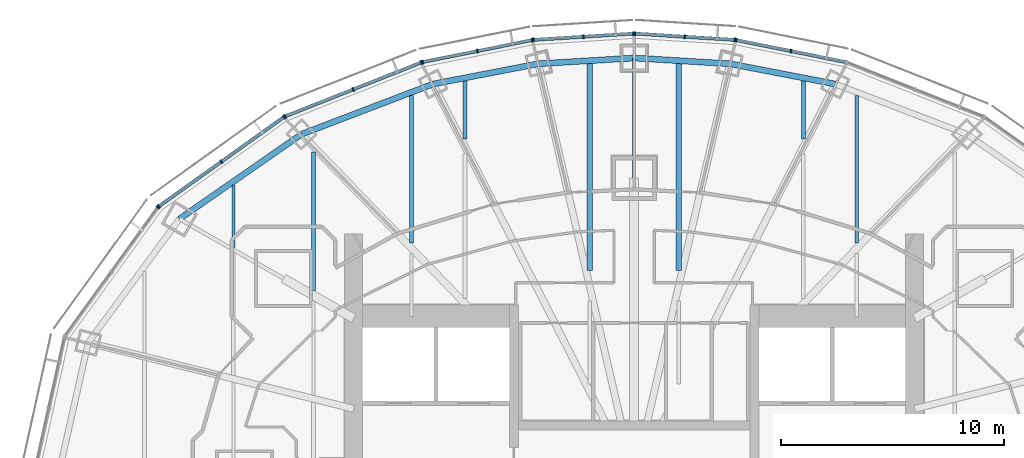
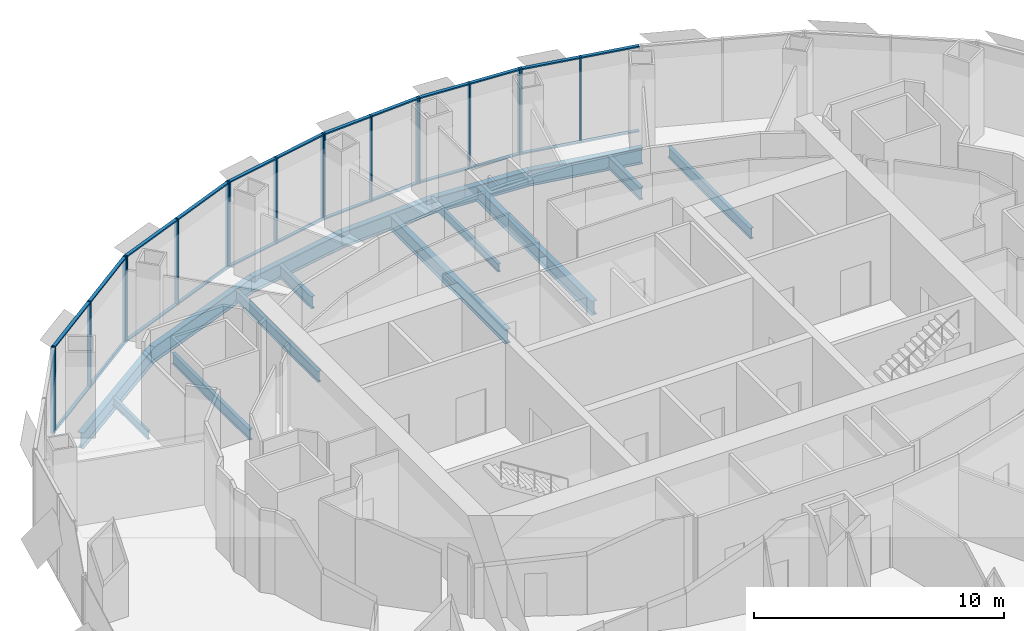
# One storey, part 8 of 19: 42 members, 15 beams, 7 elements without a shape of their own.
"""IFC4 building model written with IfcOpenShell, lengths in metres."""

from ifc_helpers import new_model, si_unit, direction, frame, origin, origin_2d, place, context, subcontext, project, spatial, rectangle, i_section, extrude, material, material_profile, profile_set, type_object, element, aggregate, save


model = new_model("IFC4")

# Units and contexts
model_context = context("Model", 3, precision=1e-05, world=origin(), true_north=direction((0.0, 1.0)))
body_context = subcontext(model_context, "Body", "Model", "MODEL_VIEW")
ifc_project = project(units=[si_unit("LENGTHUNIT", "METRE"), si_unit("AREAUNIT", "SQUARE_METRE"), si_unit("VOLUMEUNIT", "CUBIC_METRE"), si_unit("PLANEANGLEUNIT", "RADIAN"), si_unit("MASSUNIT", "GRAM", prefix="KILO")], contexts=[model_context])

# Site, building, storey
site_placement = place(None, origin())
site = spatial("IfcSite", under=ifc_project, at=site_placement, CompositionType="ELEMENT")
building_placement = place(site_placement, origin())
building = spatial("IfcBuilding", under=site, at=building_placement, Name="Lantaw Convention Tower", CompositionType="ELEMENT")
storey_placement = place(building_placement, frame((0.0, 0.0, 245.199951171875)))
storey = spatial("IfcBuildingStorey", under=building, at=storey_placement, Name="L57", CompositionType="ELEMENT", Elevation=245.199951171875)

# Beams
ifc_material_1 = material(Name="Steel ASTM A992", Category="steel")
ifc_material_profile_1 = material_profile(ifc_material_1, i_section(OverallWidth=0.2666015625, OverallDepth=0.76953125, WebThickness=0.015625, FlangeThickness=0.025390625, FilletRadius=0.0126953125, at=origin_2d()), Name="W30X132")
ifc_profile_set_1 = profile_set([ifc_material_profile_1], Name="Steel ASTM A992")
beam_type_1 = type_object("IfcBeamType", Name="Beam E W30X132", PredefinedType="SPANDREL", material=ifc_profile_set_1)
beam_1_placement = place(storey_placement, frame((9.03466796875, 17.7314453125, -0.53466796875), z_axis=(-0.981972091702, 0.189025953556, 0.0), x_axis=(-0.189025953556, -0.981972091702, 0.0)))
element("IfcBeam", 1, at=beam_1_placement, inside=storey, type_object=beam_type_1, Name="Edge beam 5", PredefinedType="SPANDREL", context=body_context, shape_type="SweptSolid", body=[
    extrude(i_section(OverallWidth=0.2666015625, OverallDepth=0.76953125, WebThickness=0.015625, FlangeThickness=0.025390625, FilletRadius=0.0126953125, at=origin_2d()), origin(), (0.0, 0.0, 1.0), 4.817626953125),
])
for number, where, z_axis, x_axis, name in (
    (2, (4.303955078125, 18.64208984375, -0.53466796875), (-0.998210730897, 0.059794119452, 0.0), (-0.059794119452, -0.998210730897, 0.0), "Edge beam 6"),
    (3, (0.0, 18.89990234375, -0.53466796875), (-0.998210730897, -0.059794119452, 0.0), (0.059794119452, -0.998210730897, 0.0), "Edge beam 7"),
):
    element("IfcBeam", number, at=place(storey_placement, frame(where, z_axis=z_axis, x_axis=x_axis)), inside=storey, type_object=beam_type_1, Name=name, PredefinedType="SPANDREL", context=body_context, shape_type="SweptSolid", body=[
        extrude(i_section(OverallWidth=0.2666015625, OverallDepth=0.76953125, WebThickness=0.015625, FlangeThickness=0.025390625, FilletRadius=0.0126953125, at=origin_2d()), origin(), (0.0, 0.0, 1.0), 4.311767578125),
    ])
beam_2_placement = place(storey_placement, frame((-4.303955078125, 18.64208984375, -0.53466796875), z_axis=(-0.981972091702, -0.189025953556, 0.0), x_axis=(0.189025953556, -0.981972091702, 0.0)))
element("IfcBeam", 4, at=beam_2_placement, inside=storey, type_object=beam_type_1, Name="Edge beam 8", PredefinedType="SPANDREL", context=body_context, shape_type="SweptSolid", body=[
    extrude(i_section(OverallWidth=0.2666015625, OverallDepth=0.76953125, WebThickness=0.015625, FlangeThickness=0.025390625, FilletRadius=0.0126953125, at=origin_2d()), origin(), (0.0, 0.0, 1.0), 4.817626953125),
])
beam_3_placement = place(storey_placement, frame((-9.03466796875, 17.7314453125, -0.53466796875), z_axis=(-0.934234988, -0.356658081637, 0.0), x_axis=(0.356658081637, -0.934234988, 0.0)))
element("IfcBeam", 5, at=beam_3_placement, inside=storey, type_object=beam_type_1, Name="Edge beam 9", PredefinedType="SPANDREL", context=body_context, shape_type="SweptSolid", body=[
    extrude(i_section(OverallWidth=0.2666015625, OverallDepth=0.76953125, WebThickness=0.015625, FlangeThickness=0.025390625, FilletRadius=0.0126953125, at=origin_2d()), origin(), (0.0, 0.0, 1.0), 6.32568359375),
])
beam_4_placement = place(storey_placement, frame((-14.9443359375, 15.475341796875, -0.53466796875), z_axis=(-0.82135329406, -0.570419815869, 0.0), x_axis=(0.570419815869, -0.82135329406, 0.0)))
element("IfcBeam", 6, at=beam_4_placement, inside=storey, type_object=beam_type_1, Name="Edge beam 10", PredefinedType="SPANDREL", context=body_context, shape_type="SweptSolid", body=[
    extrude(i_section(OverallWidth=0.2666015625, OverallDepth=0.76953125, WebThickness=0.015625, FlangeThickness=0.025390625, FilletRadius=0.0126953125, at=origin_2d()), origin(), (0.0, 0.0, 1.0), 6.67041015625),
])
ifc_material_profile_2 = material_profile(ifc_material_1, i_section(OverallWidth=0.140380859375, OverallDepth=0.40380859375, WebThickness=0.007080078125, FlangeThickness=0.01123046875, FilletRadius=0.01025390625, at=origin_2d()), Name="W16X31")
ifc_profile_set_2 = profile_set([ifc_material_profile_2], Name="Steel ASTM A992")
beam_type_2 = type_object("IfcBeamType", Name="Beam G W16X31", PredefinedType="BEAM", material=ifc_profile_set_2)
beam_5_placement = place(storey_placement, frame((0.0, 13.5, -0.351806640625), z_axis=(0.0, 1.0, 0.0), x_axis=(-1.0, 0.0, 0.0)))
element("IfcBeam", 7, at=beam_5_placement, inside=storey, type_object=beam_type_2, Name="Floor girder on ray 7", PredefinedType="BEAM", context=body_context, shape_type="SweptSolid", body=[
    extrude(i_section(OverallWidth=0.140380859375, OverallDepth=0.40380859375, WebThickness=0.007080078125, FlangeThickness=0.01123046875, FilletRadius=0.01025390625, at=origin_2d()), origin(), (0.0, 0.0, 1.0), 5.39990234375),
])
ifc_material_profile_3 = material_profile(ifc_material_1, i_section(OverallWidth=0.140380859375, OverallDepth=0.40380859375, WebThickness=0.007080078125, FlangeThickness=0.01123046875, FilletRadius=0.01025390625, at=origin_2d()), Name="W16X31")
ifc_profile_set_3 = profile_set([ifc_material_profile_3], Name="Steel ASTM A992")
beam_type_3 = type_object("IfcBeamType", Name="Beam J W16X31", PredefinedType="JOIST", material=ifc_profile_set_3)
beam_6_placement = place(storey_placement, frame((-18.0, 10.380859375, -0.351806640625), z_axis=(0.0, 1.0, 0.0), x_axis=(-1.0, 0.0, 0.0)))
element("IfcBeam", 8, at=beam_6_placement, inside=storey, type_object=beam_type_3, Name="Floor joist", PredefinedType="JOIST", context=body_context, shape_type="SweptSolid", body=[
    extrude(i_section(OverallWidth=0.140380859375, OverallDepth=0.40380859375, WebThickness=0.007080078125, FlangeThickness=0.01123046875, FilletRadius=0.01025390625, at=origin_2d()), origin(), (0.0, 0.0, 1.0), 2.81005859375),
])
ifc_material_profile_4 = material_profile(ifc_material_1, i_section(OverallWidth=0.1650390625, OverallDepth=0.52587890625, WebThickness=0.0087890625, FlangeThickness=0.011474609375, FilletRadius=0.0126953125, at=origin_2d()), Name="W21X44")
ifc_profile_set_4 = profile_set([ifc_material_profile_4], Name="Steel ASTM A992")
beam_type_4 = type_object("IfcBeamType", Name="Beam J W21X44", PredefinedType="JOIST", material=ifc_profile_set_4)
beam_7_placement = place(storey_placement, frame((-14.39990234375, 8.461181640625, -0.412841796875), z_axis=(0.0, 1.0, 0.0), x_axis=(-1.0, 0.0, 0.0)))
element("IfcBeam", 9, at=beam_7_placement, inside=storey, type_object=beam_type_4, Name="Floor joist", PredefinedType="JOIST", context=body_context, shape_type="SweptSolid", body=[
    extrude(i_section(OverallWidth=0.1650390625, OverallDepth=0.52587890625, WebThickness=0.0087890625, FlangeThickness=0.011474609375, FilletRadius=0.0126953125, at=origin_2d()), origin(), (0.0, 0.0, 1.0), 6.214599609375),
])
for number, where, z_axis, x_axis, name in (
    (10, (-10.0, 10.591064453125, -0.412841796875), (0.0, 1.0, 0.0), (-1.0, 0.0, 0.0), "Floor joist"),
    (11, (10.0, 10.591064453125, -0.412841796875), (0.0, 1.0, 0.0), (-1.0, 0.0, 0.0), "Floor joist"),
):
    element("IfcBeam", number, at=place(storey_placement, frame(where, z_axis=z_axis, x_axis=x_axis)), inside=storey, type_object=beam_type_4, Name=name, PredefinedType="JOIST", context=body_context, shape_type="SweptSolid", body=[
        extrude(i_section(OverallWidth=0.1650390625, OverallDepth=0.52587890625, WebThickness=0.0087890625, FlangeThickness=0.011474609375, FilletRadius=0.0126953125, at=origin_2d()), origin(), (0.0, 0.0, 1.0), 6.629150390625),
    ])
ifc_material_profile_5 = material_profile(ifc_material_1, i_section(OverallWidth=0.177978515625, OverallDepth=0.599365234375, WebThickness=0.010009765625, FlangeThickness=0.012939453125, FilletRadius=0.012939453125, at=origin_2d()), Name="W24X55")
ifc_profile_set_5 = profile_set([ifc_material_profile_5], Name="Steel ASTM A992")
beam_type_5 = type_object("IfcBeamType", Name="Beam J W24X55", PredefinedType="JOIST", material=ifc_profile_set_5)
for number, where, z_axis, x_axis, name in (
    (12, (-7.60009765625, 15.25439453125, -0.44970703125), (0.0, 1.0, 0.0), (-1.0, 0.0, 0.0), "Floor joist"),
    (13, (7.60009765625, 15.25439453125, -0.44970703125), (0.0, 1.0, 0.0), (-1.0, 0.0, 0.0), "Floor joist"),
):
    element("IfcBeam", number, at=place(storey_placement, frame(where, z_axis=z_axis, x_axis=x_axis)), inside=storey, type_object=beam_type_5, Name=name, PredefinedType="JOIST", context=body_context, shape_type="SweptSolid", body=[
        extrude(i_section(OverallWidth=0.177978515625, OverallDepth=0.599365234375, WebThickness=0.010009765625, FlangeThickness=0.012939453125, FilletRadius=0.012939453125, at=origin_2d()), origin(), (0.0, 0.0, 1.0), 2.617431640625),
    ])
ifc_material_profile_6 = material_profile(ifc_material_1, i_section(OverallWidth=0.25390625, OverallDepth=0.683349609375, WebThickness=0.012451171875, FlangeThickness=0.01904296875, FilletRadius=0.01513671875, at=origin_2d()), Name="W27X94")
ifc_profile_set_6 = profile_set([ifc_material_profile_6], Name="Steel ASTM A992")
beam_type_6 = type_object("IfcBeamType", Name="Beam J W27X94", PredefinedType="JOIST", material=ifc_profile_set_6)
for number, where, z_axis, x_axis, name in (
    (14, (-2.0, 9.34619140625, -0.49169921875), (0.0, 1.0, 0.0), (-1.0, 0.0, 0.0), "Floor joist"),
    (15, (2.0, 9.34619140625, -0.49169921875), (0.0, 1.0, 0.0), (-1.0, 0.0, 0.0), "Floor joist"),
):
    element("IfcBeam", number, at=place(storey_placement, frame(where, z_axis=z_axis, x_axis=x_axis)), inside=storey, type_object=beam_type_6, Name=name, PredefinedType="JOIST", context=body_context, shape_type="SweptSolid", body=[
        extrude(i_section(OverallWidth=0.25390625, OverallDepth=0.683349609375, WebThickness=0.012451171875, FlangeThickness=0.01904296875, FilletRadius=0.01513671875, at=origin_2d()), origin(), (0.0, 0.0, 1.0), 9.30029296875),
    ])

# Curtain wall, members
ifc_material_2 = material(Name="Aluminium framed curtain wall", Category="aluminium")
curtain_wall_type = type_object("IfcCurtainWallType", Name="Office curtain wall high rise, pale aluminium", PredefinedType="USERDEFINED", material=ifc_material_2)
curtain_wall_1_placement = place(storey_placement, origin())
curtain_wall_1 = element("IfcCurtainWall", 16, at=curtain_wall_1_placement, inside=storey, type_object=curtain_wall_type, Name="Office curtain wall high rise, pale aluminium L57", ObjectType="UNITISED CURTAIN WALL", PredefinedType="USERDEFINED")
ifc_material_3 = material(Name="Aluminium 6063-T6", Category="aluminium")
ifc_material_profile_7 = material_profile(ifc_material_3, rectangle(XDim=0.179931640625, YDim=0.06494140625, at=origin_2d()), Name="CW-O2 mullion 65x180")
ifc_profile_set_7 = profile_set([ifc_material_profile_7], Name="Aluminium 6063-T6")
member_type_1 = type_object("IfcMemberType", Name="CW-O2 mullion 65x180", PredefinedType="MULLION", material=ifc_profile_set_7)
member_1_placement = place(storey_placement, frame((7.042724609375, 19.212646484375, -0.14990234375), z_axis=(0.0, 0.0, 1.0), x_axis=(-0.197183095987, -0.980366679695, 0.0)))
member_1 = element("IfcMember", 17, at=member_1_placement, type_object=member_type_1, Name="CW-O2 mullion 2", PredefinedType="MULLION", context=body_context, shape_type="SweptSolid", body=[
    extrude(rectangle(XDim=0.179931640625, YDim=0.06494140625, at=origin_2d()), origin(), (0.0, 0.0, 1.0), 4.199951171875),
])
member_2_placement = place(storey_placement, frame((4.583251953125, 19.70751953125, -0.14990234375), z_axis=(0.0, 0.0, 1.0), x_axis=(-0.197183095987, -0.980366679695, 0.0)))
member_2 = element("IfcMember", 18, at=member_2_placement, type_object=member_type_1, Name="CW-O2 mullion 3", PredefinedType="MULLION", context=body_context, shape_type="SweptSolid", body=[
    extrude(rectangle(XDim=0.179931640625, YDim=0.06494140625, at=origin_2d()), origin(), (0.0, 0.0, 1.0), 4.199951171875),
])

curtain_wall_2_placement = place(storey_placement, origin())
curtain_wall_2 = element("IfcCurtainWall", 19, at=curtain_wall_2_placement, inside=storey, type_object=curtain_wall_type, Name="Office curtain wall high rise, pale aluminium L57", ObjectType="UNITISED CURTAIN WALL", PredefinedType="USERDEFINED")
member_3_placement = place(storey_placement, frame((4.518798828125, 19.7158203125, -0.14990234375), z_axis=(0.0, 0.0, 1.0), x_axis=(-0.062757983884, -0.998028774865, 0.0)))
member_3 = element("IfcMember", 20, at=member_3_placement, type_object=member_type_1, Name="CW-O2 mullion 1", PredefinedType="MULLION", context=body_context, shape_type="SweptSolid", body=[
    extrude(rectangle(XDim=0.179931640625, YDim=0.06494140625, at=origin_2d()), origin(), (0.0, 0.0, 1.0), 4.199951171875),
])
member_4_placement = place(storey_placement, frame((2.275634765625, 19.85693359375, -0.14990234375), z_axis=(0.0, 0.0, 1.0), x_axis=(-0.062757983884, -0.998028774865, 0.0)))
member_4 = element("IfcMember", 21, at=member_4_placement, type_object=member_type_1, Name="CW-O2 mullion 2", PredefinedType="MULLION", context=body_context, shape_type="SweptSolid", body=[
    extrude(rectangle(XDim=0.179931640625, YDim=0.06494140625, at=origin_2d()), origin(), (0.0, 0.0, 1.0), 4.199951171875),
])
member_5_placement = place(storey_placement, frame((0.032470703125, 19.998046875, -0.14990234375), z_axis=(0.0, 0.0, 1.0), x_axis=(-0.062757983884, -0.998028774865, 0.0)))
member_5 = element("IfcMember", 22, at=member_5_placement, type_object=member_type_1, Name="CW-O2 mullion 3", PredefinedType="MULLION", context=body_context, shape_type="SweptSolid", body=[
    extrude(rectangle(XDim=0.179931640625, YDim=0.06494140625, at=origin_2d()), origin(), (0.0, 0.0, 1.0), 4.199951171875),
])

curtain_wall_3_placement = place(storey_placement, origin())
curtain_wall_3 = element("IfcCurtainWall", 23, at=curtain_wall_3_placement, inside=storey, type_object=curtain_wall_type, Name="Office curtain wall high rise, pale aluminium L57", ObjectType="UNITISED CURTAIN WALL", PredefinedType="USERDEFINED")
member_6_placement = place(storey_placement, frame((-0.032470703125, 19.998046875, -0.14990234375), z_axis=(0.0, 0.0, 1.0), x_axis=(0.062757983884, -0.998028774865, 0.0)))
member_6 = element("IfcMember", 24, at=member_6_placement, type_object=member_type_1, Name="CW-O2 mullion 1", PredefinedType="MULLION", context=body_context, shape_type="SweptSolid", body=[
    extrude(rectangle(XDim=0.179931640625, YDim=0.06494140625, at=origin_2d()), origin(), (0.0, 0.0, 1.0), 4.199951171875),
])
member_7_placement = place(storey_placement, frame((-2.275634765625, 19.85693359375, -0.14990234375), z_axis=(0.0, 0.0, 1.0), x_axis=(0.062757983884, -0.998028774865, 0.0)))
member_7 = element("IfcMember", 25, at=member_7_placement, type_object=member_type_1, Name="CW-O2 mullion 2", PredefinedType="MULLION", context=body_context, shape_type="SweptSolid", body=[
    extrude(rectangle(XDim=0.179931640625, YDim=0.06494140625, at=origin_2d()), origin(), (0.0, 0.0, 1.0), 4.199951171875),
])
member_8_placement = place(storey_placement, frame((-4.518798828125, 19.7158203125, -0.14990234375), z_axis=(0.0, 0.0, 1.0), x_axis=(0.062757983884, -0.998028774865, 0.0)))
member_8 = element("IfcMember", 26, at=member_8_placement, type_object=member_type_1, Name="CW-O2 mullion 3", PredefinedType="MULLION", context=body_context, shape_type="SweptSolid", body=[
    extrude(rectangle(XDim=0.179931640625, YDim=0.06494140625, at=origin_2d()), origin(), (0.0, 0.0, 1.0), 4.199951171875),
])

curtain_wall_4_placement = place(storey_placement, origin())
curtain_wall_4 = element("IfcCurtainWall", 27, at=curtain_wall_4_placement, inside=storey, type_object=curtain_wall_type, Name="Office curtain wall high rise, pale aluminium L57", ObjectType="UNITISED CURTAIN WALL", PredefinedType="USERDEFINED")
member_9_placement = place(storey_placement, frame((-4.583251953125, 19.70751953125, -0.14990234375), z_axis=(0.0, 0.0, 1.0), x_axis=(0.197183095987, -0.980366679695, 0.0)))
member_9 = element("IfcMember", 28, at=member_9_placement, type_object=member_type_1, Name="CW-O2 mullion 1", PredefinedType="MULLION", context=body_context, shape_type="SweptSolid", body=[
    extrude(rectangle(XDim=0.179931640625, YDim=0.06494140625, at=origin_2d()), origin(), (0.0, 0.0, 1.0), 4.199951171875),
])
member_10_placement = place(storey_placement, frame((-7.042724609375, 19.212646484375, -0.14990234375), z_axis=(0.0, 0.0, 1.0), x_axis=(0.197183095987, -0.980366679695, 0.0)))
member_10 = element("IfcMember", 29, at=member_10_placement, type_object=member_type_1, Name="CW-O2 mullion 2", PredefinedType="MULLION", context=body_context, shape_type="SweptSolid", body=[
    extrude(rectangle(XDim=0.179931640625, YDim=0.06494140625, at=origin_2d()), origin(), (0.0, 0.0, 1.0), 4.199951171875),
])
member_11_placement = place(storey_placement, frame((-9.502197265625, 18.718017578125, -0.14990234375), z_axis=(0.0, 0.0, 1.0), x_axis=(0.197183095987, -0.980366679695, 0.0)))
member_11 = element("IfcMember", 30, at=member_11_placement, type_object=member_type_1, Name="CW-O2 mullion 3", PredefinedType="MULLION", context=body_context, shape_type="SweptSolid", body=[
    extrude(rectangle(XDim=0.179931640625, YDim=0.06494140625, at=origin_2d()), origin(), (0.0, 0.0, 1.0), 4.199951171875),
])

curtain_wall_5_placement = place(storey_placement, origin())
curtain_wall_5 = element("IfcCurtainWall", 31, at=curtain_wall_5_placement, inside=storey, type_object=curtain_wall_type, Name="Office curtain wall high rise, pale aluminium L57", ObjectType="UNITISED CURTAIN WALL", PredefinedType="USERDEFINED")
member_12_placement = place(storey_placement, frame((-9.564208984375, 18.69970703125, -0.14990234375), z_axis=(0.0, 0.0, 1.0), x_axis=(0.368162315252, -0.929761533743, 0.0)))
member_12 = element("IfcMember", 32, at=member_12_placement, type_object=member_type_1, Name="CW-O2 mullion 1", PredefinedType="MULLION", context=body_context, shape_type="SweptSolid", body=[
    extrude(rectangle(XDim=0.179931640625, YDim=0.06494140625, at=origin_2d()), origin(), (0.0, 0.0, 1.0), 4.199951171875),
])
member_13_placement = place(storey_placement, frame((-12.621337890625, 17.4892578125, -0.14990234375), z_axis=(0.0, 0.0, 1.0), x_axis=(0.368162315252, -0.929761533743, 0.0)))
member_13 = element("IfcMember", 33, at=member_13_placement, type_object=member_type_1, Name="CW-O2 mullion 2", PredefinedType="MULLION", context=body_context, shape_type="SweptSolid", body=[
    extrude(rectangle(XDim=0.179931640625, YDim=0.06494140625, at=origin_2d()), origin(), (0.0, 0.0, 1.0), 4.199951171875),
])
member_14_placement = place(storey_placement, frame((-15.67822265625, 16.278564453125, -0.14990234375), z_axis=(0.0, 0.0, 1.0), x_axis=(0.368162315252, -0.929761533743, 0.0)))
member_14 = element("IfcMember", 34, at=member_14_placement, type_object=member_type_1, Name="CW-O2 mullion 3", PredefinedType="MULLION", context=body_context, shape_type="SweptSolid", body=[
    extrude(rectangle(XDim=0.179931640625, YDim=0.06494140625, at=origin_2d()), origin(), (0.0, 0.0, 1.0), 4.199951171875),
])

curtain_wall_6_placement = place(storey_placement, origin())
curtain_wall_6 = element("IfcCurtainWall", 35, at=curtain_wall_6_placement, inside=storey, type_object=curtain_wall_type, Name="Office curtain wall high rise, pale aluminium L57", ObjectType="UNITISED CURTAIN WALL", PredefinedType="USERDEFINED")
member_15_placement = place(storey_placement, frame((-15.73486328125, 16.247802734375, -0.14990234375), z_axis=(0.0, 0.0, 1.0), x_axis=(0.581323487281, -0.813672540482, 0.0)))
member_15 = element("IfcMember", 36, at=member_15_placement, type_object=member_type_1, Name="CW-O2 mullion 1", PredefinedType="MULLION", context=body_context, shape_type="SweptSolid", body=[
    extrude(rectangle(XDim=0.179931640625, YDim=0.06494140625, at=origin_2d()), origin(), (0.0, 0.0, 1.0), 4.199951171875),
])
member_16_placement = place(storey_placement, frame((-18.543212890625, 14.241455078125, -0.14990234375), z_axis=(0.0, 0.0, 1.0), x_axis=(0.581323487281, -0.813672540482, 0.0)))
member_16 = element("IfcMember", 37, at=member_16_placement, type_object=member_type_1, Name="CW-O2 mullion 2", PredefinedType="MULLION", context=body_context, shape_type="SweptSolid", body=[
    extrude(rectangle(XDim=0.179931640625, YDim=0.06494140625, at=origin_2d()), origin(), (0.0, 0.0, 1.0), 4.199951171875),
])
member_17_placement = place(storey_placement, frame((-21.3515625, 12.23486328125, -0.14990234375), z_axis=(0.0, 0.0, 1.0), x_axis=(0.581323487281, -0.813672540482, 0.0)))
member_17 = element("IfcMember", 38, at=member_17_placement, type_object=member_type_1, Name="CW-O2 mullion 3", PredefinedType="MULLION", context=body_context, shape_type="SweptSolid", body=[
    extrude(rectangle(XDim=0.179931640625, YDim=0.06494140625, at=origin_2d()), origin(), (0.0, 0.0, 1.0), 4.199951171875),
])

# Curtain wall, member
curtain_wall_7_placement = place(storey_placement, origin())
curtain_wall_7 = element("IfcCurtainWall", 39, at=curtain_wall_7_placement, inside=storey, type_object=curtain_wall_type, Name="Office curtain wall high rise, pale aluminium L57", ObjectType="UNITISED CURTAIN WALL", PredefinedType="USERDEFINED")
member_18_placement = place(storey_placement, frame((-21.397216796875, 12.189697265625, -0.14990234375), z_axis=(0.0, 0.0, 1.0), x_axis=(0.810919559405, -0.585157643865, 0.0)))
member_18 = element("IfcMember", 40, at=member_18_placement, type_object=member_type_1, Name="CW-O2 mullion 1", PredefinedType="MULLION", context=body_context, shape_type="SweptSolid", body=[
    extrude(rectangle(XDim=0.179931640625, YDim=0.06494140625, at=origin_2d()), origin(), (0.0, 0.0, 1.0), 4.199951171875),
])
aggregate(curtain_wall_7, [member_18])

# Member
ifc_material_profile_8 = material_profile(ifc_material_3, rectangle(XDim=0.14990234375, YDim=0.06494140625, at=origin_2d()), Name="CW-O2 transom 65x150")
ifc_profile_set_8 = profile_set([ifc_material_profile_8], Name="Aluminium 6063-T6")
member_type_2 = type_object("IfcMemberType", Name="CW-O2 transom 65x150", PredefinedType="USERDEFINED", material=ifc_profile_set_8)
member_19_placement = place(storey_placement, frame((9.47021484375, 18.724365234375, -0.117431640625), z_axis=(-0.98036104319, 0.197211117829, 0.0), x_axis=(-0.197211117829, -0.98036104319, 0.0)))
member_19 = element("IfcMember", 41, at=member_19_placement, type_object=member_type_2, Name="CW-O2 transom 1.1", ObjectType="TRANSOM", PredefinedType="USERDEFINED", context=body_context, shape_type="SweptSolid", body=[
    extrude(rectangle(XDim=0.14990234375, YDim=0.06494140625, at=origin_2d()), origin(), (0.0, 0.0, 1.0), 2.44384765625),
])

member_20_placement = place(storey_placement, frame((9.47021484375, 18.724365234375, 4.017578125), z_axis=(-0.98036104319, 0.197211117829, 0.0), x_axis=(-0.197211117829, -0.98036104319, 0.0)))
member_20 = element("IfcMember", 42, at=member_20_placement, type_object=member_type_2, Name="CW-O2 transom 1.2", ObjectType="TRANSOM", PredefinedType="USERDEFINED", context=body_context, shape_type="SweptSolid", body=[
    extrude(rectangle(XDim=0.14990234375, YDim=0.06494140625, at=origin_2d()), origin(), (0.0, 0.0, 1.0), 2.44384765625),
])

member_21_placement = place(storey_placement, frame((7.0107421875, 19.21923828125, -0.117431640625), z_axis=(-0.980380354178, 0.197115096178, 0.0), x_axis=(-0.197115096178, -0.980380354178, 0.0)))
member_21 = element("IfcMember", 43, at=member_21_placement, type_object=member_type_2, Name="CW-O2 transom 2.1", ObjectType="TRANSOM", PredefinedType="USERDEFINED", context=body_context, shape_type="SweptSolid", body=[
    extrude(rectangle(XDim=0.14990234375, YDim=0.06494140625, at=origin_2d()), origin(), (0.0, 0.0, 1.0), 2.443603515625),
])

member_22_placement = place(storey_placement, frame((7.0107421875, 19.21923828125, 4.017578125), z_axis=(-0.980380354178, 0.197115096178, 0.0), x_axis=(-0.197115096178, -0.980380354178, 0.0)))
member_22 = element("IfcMember", 44, at=member_22_placement, type_object=member_type_2, Name="CW-O2 transom 2.2", ObjectType="TRANSOM", PredefinedType="USERDEFINED", context=body_context, shape_type="SweptSolid", body=[
    extrude(rectangle(XDim=0.14990234375, YDim=0.06494140625, at=origin_2d()), origin(), (0.0, 0.0, 1.0), 2.443603515625),
])

aggregate(curtain_wall_1, [member_1, member_2, member_19, member_20, member_21, member_22])

member_23_placement = place(storey_placement, frame((4.486328125, 19.7177734375, -0.117431640625), z_axis=(-0.998021991509, 0.062865765437, 0.0), x_axis=(-0.062865765437, -0.998021991509, 0.0)))
member_23 = element("IfcMember", 45, at=member_23_placement, type_object=member_type_2, Name="CW-O2 transom 1.1", ObjectType="TRANSOM", PredefinedType="USERDEFINED", context=body_context, shape_type="SweptSolid", body=[
    extrude(rectangle(XDim=0.14990234375, YDim=0.06494140625, at=origin_2d()), origin(), (0.0, 0.0, 1.0), 2.1826171875),
])

member_24_placement = place(storey_placement, frame((4.486328125, 19.7177734375, 4.017578125), z_axis=(-0.998021991509, 0.062865765437, 0.0), x_axis=(-0.062865765437, -0.998021991509, 0.0)))
member_24 = element("IfcMember", 46, at=member_24_placement, type_object=member_type_2, Name="CW-O2 transom 1.2", ObjectType="TRANSOM", PredefinedType="USERDEFINED", context=body_context, shape_type="SweptSolid", body=[
    extrude(rectangle(XDim=0.14990234375, YDim=0.06494140625, at=origin_2d()), origin(), (0.0, 0.0, 1.0), 2.1826171875),
])

member_25_placement = place(storey_placement, frame((2.2431640625, 19.85888671875, -0.117431640625), z_axis=(-0.998029003644, 0.062754345555, 0.0), x_axis=(-0.062754345555, -0.998029003644, 0.0)))
member_25 = element("IfcMember", 47, at=member_25_placement, type_object=member_type_2, Name="CW-O2 transom 2.1", ObjectType="TRANSOM", PredefinedType="USERDEFINED", context=body_context, shape_type="SweptSolid", body=[
    extrude(rectangle(XDim=0.14990234375, YDim=0.06494140625, at=origin_2d()), origin(), (0.0, 0.0, 1.0), 2.1826171875),
])

member_26_placement = place(storey_placement, frame((2.2431640625, 19.85888671875, 4.017578125), z_axis=(-0.998029003644, 0.062754345555, 0.0), x_axis=(-0.062754345555, -0.998029003644, 0.0)))
member_26 = element("IfcMember", 48, at=member_26_placement, type_object=member_type_2, Name="CW-O2 transom 2.2", ObjectType="TRANSOM", PredefinedType="USERDEFINED", context=body_context, shape_type="SweptSolid", body=[
    extrude(rectangle(XDim=0.14990234375, YDim=0.06494140625, at=origin_2d()), origin(), (0.0, 0.0, 1.0), 2.1826171875),
])

aggregate(curtain_wall_2, [member_3, member_4, member_5, member_23, member_24, member_25, member_26])

member_27_placement = place(storey_placement, frame((-0.06494140625, 19.995849609375, -0.117431640625), z_axis=(-0.998029003644, -0.062754345555, 0.0), x_axis=(0.062754345555, -0.998029003644, 0.0)))
member_27 = element("IfcMember", 49, at=member_27_placement, type_object=member_type_2, Name="CW-O2 transom 1.1", ObjectType="TRANSOM", PredefinedType="USERDEFINED", context=body_context, shape_type="SweptSolid", body=[
    extrude(rectangle(XDim=0.14990234375, YDim=0.06494140625, at=origin_2d()), origin(), (0.0, 0.0, 1.0), 2.1826171875),
])

member_28_placement = place(storey_placement, frame((-0.06494140625, 19.995849609375, 4.017578125), z_axis=(-0.998029003644, -0.062754345555, 0.0), x_axis=(0.062754345555, -0.998029003644, 0.0)))
member_28 = element("IfcMember", 50, at=member_28_placement, type_object=member_type_2, Name="CW-O2 transom 1.2", ObjectType="TRANSOM", PredefinedType="USERDEFINED", context=body_context, shape_type="SweptSolid", body=[
    extrude(rectangle(XDim=0.14990234375, YDim=0.06494140625, at=origin_2d()), origin(), (0.0, 0.0, 1.0), 2.1826171875),
])

member_29_placement = place(storey_placement, frame((-2.30810546875, 19.85498046875, -0.117431640625), z_axis=(-0.998021991509, -0.062865765437, 0.0), x_axis=(0.062865765437, -0.998021991509, 0.0)))
member_29 = element("IfcMember", 51, at=member_29_placement, type_object=member_type_2, Name="CW-O2 transom 2.1", ObjectType="TRANSOM", PredefinedType="USERDEFINED", context=body_context, shape_type="SweptSolid", body=[
    extrude(rectangle(XDim=0.14990234375, YDim=0.06494140625, at=origin_2d()), origin(), (0.0, 0.0, 1.0), 2.1826171875),
])

member_30_placement = place(storey_placement, frame((-2.30810546875, 19.85498046875, 4.017578125), z_axis=(-0.998021991509, -0.062865765437, 0.0), x_axis=(0.062865765437, -0.998021991509, 0.0)))
member_30 = element("IfcMember", 52, at=member_30_placement, type_object=member_type_2, Name="CW-O2 transom 2.2", ObjectType="TRANSOM", PredefinedType="USERDEFINED", context=body_context, shape_type="SweptSolid", body=[
    extrude(rectangle(XDim=0.14990234375, YDim=0.06494140625, at=origin_2d()), origin(), (0.0, 0.0, 1.0), 2.1826171875),
])

aggregate(curtain_wall_3, [member_6, member_7, member_8, member_27, member_28, member_29, member_30])

member_31_placement = place(storey_placement, frame((-4.614990234375, 19.700927734375, -0.117431640625), z_axis=(-0.980380354178, -0.197115096178, 0.0), x_axis=(0.197115096178, -0.980380354178, 0.0)))
member_31 = element("IfcMember", 53, at=member_31_placement, type_object=member_type_2, Name="CW-O2 transom 1.1", ObjectType="TRANSOM", PredefinedType="USERDEFINED", context=body_context, shape_type="SweptSolid", body=[
    extrude(rectangle(XDim=0.14990234375, YDim=0.06494140625, at=origin_2d()), origin(), (0.0, 0.0, 1.0), 2.443603515625),
])

member_32_placement = place(storey_placement, frame((-4.614990234375, 19.700927734375, 4.017578125), z_axis=(-0.980380354178, -0.197115096178, 0.0), x_axis=(0.197115096178, -0.980380354178, 0.0)))
member_32 = element("IfcMember", 54, at=member_32_placement, type_object=member_type_2, Name="CW-O2 transom 1.2", ObjectType="TRANSOM", PredefinedType="USERDEFINED", context=body_context, shape_type="SweptSolid", body=[
    extrude(rectangle(XDim=0.14990234375, YDim=0.06494140625, at=origin_2d()), origin(), (0.0, 0.0, 1.0), 2.443603515625),
])

member_33_placement = place(storey_placement, frame((-7.074462890625, 19.206298828125, -0.117431640625), z_axis=(-0.98036104319, -0.197211117829, 0.0), x_axis=(0.197211117829, -0.98036104319, 0.0)))
member_33 = element("IfcMember", 55, at=member_33_placement, type_object=member_type_2, Name="CW-O2 transom 2.1", ObjectType="TRANSOM", PredefinedType="USERDEFINED", context=body_context, shape_type="SweptSolid", body=[
    extrude(rectangle(XDim=0.14990234375, YDim=0.06494140625, at=origin_2d()), origin(), (0.0, 0.0, 1.0), 2.44384765625),
])

member_34_placement = place(storey_placement, frame((-7.074462890625, 19.206298828125, 4.017578125), z_axis=(-0.98036104319, -0.197211117829, 0.0), x_axis=(0.197211117829, -0.98036104319, 0.0)))
member_34 = element("IfcMember", 56, at=member_34_placement, type_object=member_type_2, Name="CW-O2 transom 2.2", ObjectType="TRANSOM", PredefinedType="USERDEFINED", context=body_context, shape_type="SweptSolid", body=[
    extrude(rectangle(XDim=0.14990234375, YDim=0.06494140625, at=origin_2d()), origin(), (0.0, 0.0, 1.0), 2.44384765625),
])

aggregate(curtain_wall_4, [member_9, member_10, member_11, member_31, member_32, member_33, member_34])

member_35_placement = place(storey_placement, frame((-9.594482421875, 18.687744140625, -0.117431640625), z_axis=(-0.929766642946, -0.368149412149, 0.0), x_axis=(0.368149412149, -0.929766642946, 0.0)))
member_35 = element("IfcMember", 57, at=member_35_placement, type_object=member_type_2, Name="CW-O2 transom 1.1", ObjectType="TRANSOM", PredefinedType="USERDEFINED", context=body_context, shape_type="SweptSolid", body=[
    extrude(rectangle(XDim=0.14990234375, YDim=0.06494140625, at=origin_2d()), origin(), (0.0, 0.0, 1.0), 3.222900390625),
])

member_36_placement = place(storey_placement, frame((-9.594482421875, 18.687744140625, 4.017578125), z_axis=(-0.929766642946, -0.368149412149, 0.0), x_axis=(0.368149412149, -0.929766642946, 0.0)))
member_36 = element("IfcMember", 58, at=member_36_placement, type_object=member_type_2, Name="CW-O2 transom 1.2", ObjectType="TRANSOM", PredefinedType="USERDEFINED", context=body_context, shape_type="SweptSolid", body=[
    extrude(rectangle(XDim=0.14990234375, YDim=0.06494140625, at=origin_2d()), origin(), (0.0, 0.0, 1.0), 3.222900390625),
])

member_37_placement = place(storey_placement, frame((-12.651611328125, 17.477294921875, -0.117431640625), z_axis=(-0.929740712354, -0.368214893495, 0.0), x_axis=(0.368214893495, -0.929740712354, 0.0)))
member_37 = element("IfcMember", 59, at=member_37_placement, type_object=member_type_2, Name="CW-O2 transom 2.1", ObjectType="TRANSOM", PredefinedType="USERDEFINED", context=body_context, shape_type="SweptSolid", body=[
    extrude(rectangle(XDim=0.14990234375, YDim=0.06494140625, at=origin_2d()), origin(), (0.0, 0.0, 1.0), 3.22314453125),
])

member_38_placement = place(storey_placement, frame((-12.651611328125, 17.477294921875, 4.017578125), z_axis=(-0.929740712354, -0.368214893495, 0.0), x_axis=(0.368214893495, -0.929740712354, 0.0)))
member_38 = element("IfcMember", 60, at=member_38_placement, type_object=member_type_2, Name="CW-O2 transom 2.2", ObjectType="TRANSOM", PredefinedType="USERDEFINED", context=body_context, shape_type="SweptSolid", body=[
    extrude(rectangle(XDim=0.14990234375, YDim=0.06494140625, at=origin_2d()), origin(), (0.0, 0.0, 1.0), 3.22314453125),
])

aggregate(curtain_wall_5, [member_12, member_13, member_14, member_35, member_36, member_37, member_38])

member_39_placement = place(storey_placement, frame((-15.761474609375, 16.22900390625, -0.117431640625), z_axis=(-0.813645780821, -0.581360940683, 0.0), x_axis=(0.581360940683, -0.813645780821, 0.0)))
member_39 = element("IfcMember", 61, at=member_39_placement, type_object=member_type_2, Name="CW-O2 transom 1.1", ObjectType="TRANSOM", PredefinedType="USERDEFINED", context=body_context, shape_type="SweptSolid", body=[
    extrude(rectangle(XDim=0.14990234375, YDim=0.06494140625, at=origin_2d()), origin(), (0.0, 0.0, 1.0), 3.386474609375),
])

member_40_placement = place(storey_placement, frame((-15.761474609375, 16.22900390625, 4.017578125), z_axis=(-0.813645780821, -0.581360940683, 0.0), x_axis=(0.581360940683, -0.813645780821, 0.0)))
member_40 = element("IfcMember", 62, at=member_40_placement, type_object=member_type_2, Name="CW-O2 transom 1.2", ObjectType="TRANSOM", PredefinedType="USERDEFINED", context=body_context, shape_type="SweptSolid", body=[
    extrude(rectangle(XDim=0.14990234375, YDim=0.06494140625, at=origin_2d()), origin(), (0.0, 0.0, 1.0), 3.386474609375),
])

member_41_placement = place(storey_placement, frame((-18.56982421875, 14.222412109375, -0.117431640625), z_axis=(-0.813679882592, -0.581313210468, 0.0), x_axis=(0.581313210468, -0.813679882592, 0.0)))
member_41 = element("IfcMember", 63, at=member_41_placement, type_object=member_type_2, Name="CW-O2 transom 2.1", ObjectType="TRANSOM", PredefinedType="USERDEFINED", context=body_context, shape_type="SweptSolid", body=[
    extrude(rectangle(XDim=0.14990234375, YDim=0.06494140625, at=origin_2d()), origin(), (0.0, 0.0, 1.0), 3.38623046875),
])

member_42_placement = place(storey_placement, frame((-18.56982421875, 14.222412109375, 4.017578125), z_axis=(-0.813679882592, -0.581313210468, 0.0), x_axis=(0.581313210468, -0.813679882592, 0.0)))
member_42 = element("IfcMember", 64, at=member_42_placement, type_object=member_type_2, Name="CW-O2 transom 2.2", ObjectType="TRANSOM", PredefinedType="USERDEFINED", context=body_context, shape_type="SweptSolid", body=[
    extrude(rectangle(XDim=0.14990234375, YDim=0.06494140625, at=origin_2d()), origin(), (0.0, 0.0, 1.0), 3.38623046875),
])

aggregate(curtain_wall_6, [member_15, member_16, member_17, member_39, member_40, member_41, member_42])

save(model, "model.ifc")
